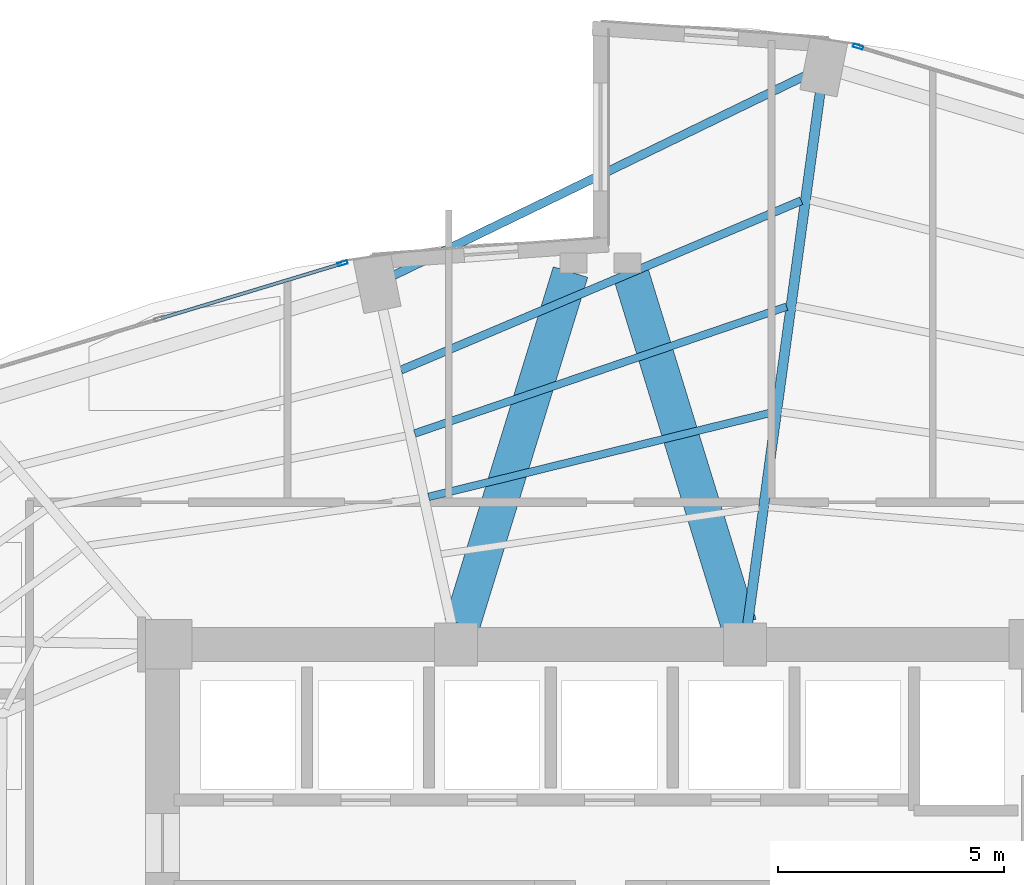
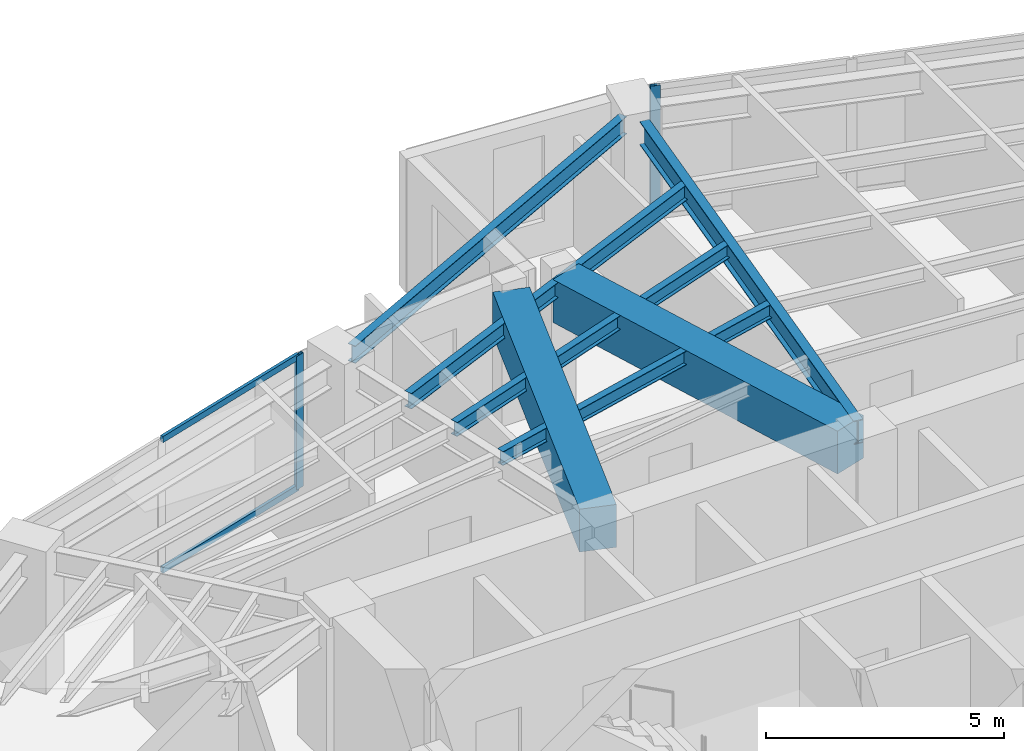
# One storey, part 15 of 23: 7 beams, 4 members, 2 elements without a shape of their own.
"""IFC4 building model written with IfcOpenShell, lengths in metres."""

from ifc_helpers import new_model, si_unit, direction, frame, origin, origin_2d, place, context, subcontext, project, spatial, rectangle, hollow_rectangle, i_section, extrude, material, layer, layer_set, material_profile, profile_set, type_object, element, aggregate, save


model = new_model("IFC4")

# Units and contexts
model_context = context("Model", 3, precision=1e-05, world=origin(), true_north=direction((0.0, 1.0)))
body_context = subcontext(model_context, "Body", "Model", "MODEL_VIEW")
ifc_project = project(units=[si_unit("LENGTHUNIT", "METRE"), si_unit("AREAUNIT", "SQUARE_METRE"), si_unit("VOLUMEUNIT", "CUBIC_METRE"), si_unit("PLANEANGLEUNIT", "RADIAN"), si_unit("MASSUNIT", "GRAM", prefix="KILO")], contexts=[model_context])

# Site, building, storey
site_placement = place(None, origin())
site = spatial("IfcSite", under=ifc_project, at=site_placement, CompositionType="ELEMENT")
building_placement = place(site_placement, origin())
building = spatial("IfcBuilding", under=site, at=building_placement, Name="Lazwardi Medical Tower", CompositionType="ELEMENT")
storey_placement = place(building_placement, frame((0.0, 0.0, 81.743896484375)))
storey = spatial("IfcBuildingStorey", under=building, at=storey_placement, Name="L20", CompositionType="ELEMENT", Elevation=81.743896484375)

# Beams
ifc_material_1 = material(Name="Concrete C70/85", Category="concrete")
ifc_material_profile_1 = material_profile(ifc_material_1, rectangle(XDim=0.800048828125, YDim=1.10009765625, at=origin_2d()), Name="RC 800x1100")
ifc_profile_set_1 = profile_set([ifc_material_profile_1], Name="Concrete C70/85")
beam_type_1 = type_object("IfcBeamType", Name="BM-CB-RC1", PredefinedType="LINTEL", material=ifc_profile_set_1)
for number, where, z_axis, x_axis, name in (
    (1, (32.935302734375, 36.039794921875, 2.878173828125), (0.294073251002, 0.955782884888, 0.0), (-0.955782884888, 0.294073251002, 0.0), "Core coupling lintel CB-01 PL1 L20"),
    (2, (39.064697265625, 36.039794921875, 2.878173828125), (-0.294073251002, 0.955782884888, 0.0), (-0.955782884888, -0.294073251002, 0.0), "Core coupling lintel CB-01 PL2 L20"),
):
    element("IfcBeam", number, at=place(storey_placement, frame(where, z_axis=z_axis, x_axis=x_axis)), inside=storey, type_object=beam_type_1, Name=name, PredefinedType="LINTEL", context=body_context, shape_type="SweptSolid", body=[
        extrude(rectangle(XDim=0.800048828125, YDim=1.10009765625, at=origin_2d()), origin(), (0.0, 0.0, 1.0), 8.1708984375),
    ])
ifc_material_2 = material(Name="Steel S355", Category="steel")
ifc_material_profile_2 = material_profile(ifc_material_2, i_section(OverallWidth=0.219970703125, OverallDepth=0.60009765625, WebThickness=0.011962890625, FlangeThickness=0.01904296875, at=origin_2d()), Name="IPE 600")
ifc_profile_set_2 = profile_set([ifc_material_profile_2], Name="Steel S355")
beam_type_2 = type_object("IfcBeamType", Name="BM-RG-W1", PredefinedType="BEAM", material=ifc_profile_set_2)
beam_1_placement = place(storey_placement, frame((40.8671875, 47.82275390625, 3.128173828125), z_axis=(-0.135147148002, -0.990825538825, 0.0), x_axis=(0.990825538825, -0.135147148002, 0.0)))
element("IfcBeam", 3, at=beam_1_placement, inside=storey, type_object=beam_type_2, Name="Radial girder RG-02 R08 L20", PredefinedType="BEAM", context=body_context, shape_type="SweptSolid", body=[
    extrude(i_section(OverallWidth=0.219970703125, OverallDepth=0.60009765625, WebThickness=0.011962890625, FlangeThickness=0.01904296875, at=origin_2d()), origin(), (0.0, 0.0, 1.0), 11.875732421875),
])
ifc_material_profile_3 = material_profile(ifc_material_2, i_section(OverallWidth=0.179931640625, OverallDepth=0.39990234375, WebThickness=0.008544921875, FlangeThickness=0.013427734375, at=origin_2d()), Name="IPE 400")
ifc_profile_set_3 = profile_set([ifc_material_profile_3], Name="Steel S355")
beam_type_3 = type_object("IfcBeamType", Name="BM-SJ-01", PredefinedType="JOIST", material=ifc_profile_set_3)
beam_2_placement = place(storey_placement, frame((40.449462890625, 45.428466796875, 3.22802734375), z_axis=(-0.920947307957, -0.389687125739, 0.0), x_axis=(0.389687125739, -0.920947307957, 0.0)))
element("IfcBeam", 4, at=beam_2_placement, inside=storey, type_object=beam_type_3, Name="Secondary joist SJ-01 R1 B08 L20", PredefinedType="JOIST", context=body_context, shape_type="SweptSolid", body=[
    extrude(i_section(OverallWidth=0.179931640625, OverallDepth=0.39990234375, WebThickness=0.008544921875, FlangeThickness=0.013427734375, at=origin_2d()), origin(), (0.0, 0.0, 1.0), 9.63134765625),
])
ifc_material_profile_4 = material_profile(ifc_material_2, i_section(OverallWidth=0.169921875, OverallDepth=0.360107421875, WebThickness=0.008056640625, FlangeThickness=0.0126953125, at=origin_2d()), Name="IPE 360")
ifc_profile_set_4 = profile_set([ifc_material_profile_4], Name="Steel S355")
beam_type_4 = type_object("IfcBeamType", Name="BM-SJ-02", PredefinedType="JOIST", material=ifc_profile_set_4)
beam_3_placement = place(storey_placement, frame((40.125732421875, 43.08203125, 3.248046875), z_axis=(-0.946467154368, -0.322800132749, 0.0), x_axis=(0.322800132749, -0.946467154368, 0.0)))
element("IfcBeam", 5, at=beam_3_placement, inside=storey, type_object=beam_type_4, Name="Secondary joist SJ-02 R2 B08 L20", PredefinedType="JOIST", context=body_context, shape_type="SweptSolid", body=[
    extrude(i_section(OverallWidth=0.169921875, OverallDepth=0.360107421875, WebThickness=0.008056640625, FlangeThickness=0.0126953125, at=origin_2d()), origin(), (0.0, 0.0, 1.0), 8.70458984375),
])
beam_4_placement = place(storey_placement, frame((39.80224609375, 40.737548828125, 3.248046875), z_axis=(-0.97107737879, -0.238764998276, 0.0), x_axis=(0.238764998276, -0.97107737879, 0.0)))
element("IfcBeam", 6, at=beam_4_placement, inside=storey, type_object=beam_type_4, Name="Secondary joist SJ-02 R3 B08 L20", PredefinedType="JOIST", context=body_context, shape_type="SweptSolid", body=[
    extrude(i_section(OverallWidth=0.169921875, OverallDepth=0.360107421875, WebThickness=0.008056640625, FlangeThickness=0.0126953125, at=origin_2d()), origin(), (0.0, 0.0, 1.0), 7.83447265625),
])
ifc_material_profile_5 = material_profile(ifc_material_2, i_section(OverallWidth=0.18994140625, OverallDepth=0.449951171875, WebThickness=0.009521484375, FlangeThickness=0.0146484375, at=origin_2d()), Name="IPE 450")
ifc_profile_set_5 = profile_set([ifc_material_profile_5], Name="Steel S355")
beam_type_5 = type_object("IfcBeamType", Name="BM-SP-01", PredefinedType="SPANDREL", material=ifc_profile_set_5)
beam_5_placement = place(storey_placement, frame((40.57666015625, 48.218505859375, 3.203125), z_axis=(-0.899653336227, -0.436604941125, 0.0), x_axis=(0.436604941125, -0.899653336227, 0.0)))
element("IfcBeam", 7, at=beam_5_placement, inside=storey, type_object=beam_type_5, Name="Spandrel beam SP-01 B08 L20", PredefinedType="SPANDREL", context=body_context, shape_type="SweptSolid", body=[
    extrude(i_section(OverallWidth=0.18994140625, OverallDepth=0.449951171875, WebThickness=0.009521484375, FlangeThickness=0.0146484375, at=origin_2d()), origin(), (0.0, 0.0, 1.0), 10.17431640625),
])

# Curtain wall, member
ifc_material_3 = material(Name="Anodised bronze aluminium and solar control glazing", Category="aluminium")
ifc_layer = layer(ifc_material_3, 0.195068359375)
ifc_layer_set = layer_set([ifc_layer], Name="Anodised bronze aluminium and solar control glazing")
curtain_wall_type = type_object("IfcCurtainWallType", Name="CW-SYS-03", PredefinedType="NOTDEFINED", material=ifc_layer_set)
curtain_wall_1_placement = place(storey_placement, origin())
curtain_wall_1 = element("IfcCurtainWall", 8, at=curtain_wall_1_placement, inside=storey, type_object=curtain_wall_type, Name="L20 Unitised bronze curtain wall CW-03", PredefinedType="NOTDEFINED")
ifc_material_4 = material(Name="Anodised bronze aluminium", Category="aluminium")
ifc_material_profile_6 = material_profile(ifc_material_4, hollow_rectangle(XDim=0.074951171875, YDim=0.219970703125, WallThickness=0.00390625, at=origin_2d()), Name="ALU-MULLION 220x75x4")
ifc_profile_set_6 = profile_set([ifc_material_profile_6], Name="Anodised bronze aluminium")
member_type_1 = type_object("IfcMemberType", Name="CW-MUL-01", PredefinedType="MULLION", material=ifc_profile_set_6)
member_1_placement = place(storey_placement, frame((41.710205078125, 48.840087890625, 0.0), z_axis=(0.0, 0.0, 1.0), x_axis=(-0.28937381157, -0.957216170558, 0.0)))
member_1 = element("IfcMember", 9, at=member_1_placement, type_object=member_type_1, Name="CW-03 mullion 3", PredefinedType="MULLION", context=body_context, shape_type="SweptSolid", body=[
    extrude(hollow_rectangle(XDim=0.074951171875, YDim=0.219970703125, WallThickness=0.00390625, at=origin_2d()), origin(), (0.0, 0.0, 1.0), 3.42822265625),
])
aggregate(curtain_wall_1, [member_1])

# Curtain wall, members
curtain_wall_2_placement = place(storey_placement, origin())
curtain_wall_2 = element("IfcCurtainWall", 10, at=curtain_wall_2_placement, inside=storey, type_object=curtain_wall_type, Name="L20 Unitised bronze curtain wall CW-03", PredefinedType="NOTDEFINED")
member_2_placement = place(storey_placement, frame((30.289794921875, 44.0400390625, 0.0), z_axis=(0.0, 0.0, 1.0), x_axis=(0.28937381157, -0.957216170558, 0.0)))
member_2 = element("IfcMember", 11, at=member_2_placement, type_object=member_type_1, Name="CW-03 mullion 1", PredefinedType="MULLION", context=body_context, shape_type="SweptSolid", body=[
    extrude(hollow_rectangle(XDim=0.074951171875, YDim=0.219970703125, WallThickness=0.00390625, at=origin_2d()), origin(), (0.0, 0.0, 1.0), 3.42822265625),
])
ifc_material_profile_7 = material_profile(ifc_material_4, hollow_rectangle(XDim=0.074951171875, YDim=0.159912109375, WallThickness=0.00390625, at=origin_2d()), Name="ALU-TRANSOM 160x75x4")
ifc_profile_set_7 = profile_set([ifc_material_profile_7], Name="Anodised bronze aluminium")
member_type_2 = type_object("IfcMemberType", Name="CW-TRN-01", PredefinedType="USERDEFINED", material=ifc_profile_set_7)
member_3_placement = place(storey_placement, frame((30.25390625, 44.029296875, 0.03759765625), z_axis=(-0.957220865985, -0.289358279168, 0.0), x_axis=(0.289358279168, -0.957220865985, 0.0)))
member_3 = element("IfcMember", 12, at=member_3_placement, type_object=member_type_2, Name="CW-03 transom 1.1", ObjectType="TRANSOM", PredefinedType="USERDEFINED", context=body_context, shape_type="SweptSolid", body=[
    extrude(hollow_rectangle(XDim=0.074951171875, YDim=0.159912109375, WallThickness=0.00390625, at=origin_2d()), origin(), (0.0, 0.0, 1.0), 4.16552734375),
])
member_4_placement = place(storey_placement, frame((30.25390625, 44.029296875, 3.390625), z_axis=(-0.957220865985, -0.289358279168, 0.0), x_axis=(0.289358279168, -0.957220865985, 0.0)))
member_4 = element("IfcMember", 13, at=member_4_placement, type_object=member_type_2, Name="CW-03 transom 1.2", ObjectType="TRANSOM", PredefinedType="USERDEFINED", context=body_context, shape_type="SweptSolid", body=[
    extrude(hollow_rectangle(XDim=0.074951171875, YDim=0.159912109375, WallThickness=0.00390625, at=origin_2d()), origin(), (0.0, 0.0, 1.0), 4.16552734375),
])
aggregate(curtain_wall_2, [member_2, member_3, member_4])

save(model, "model.ifc")
